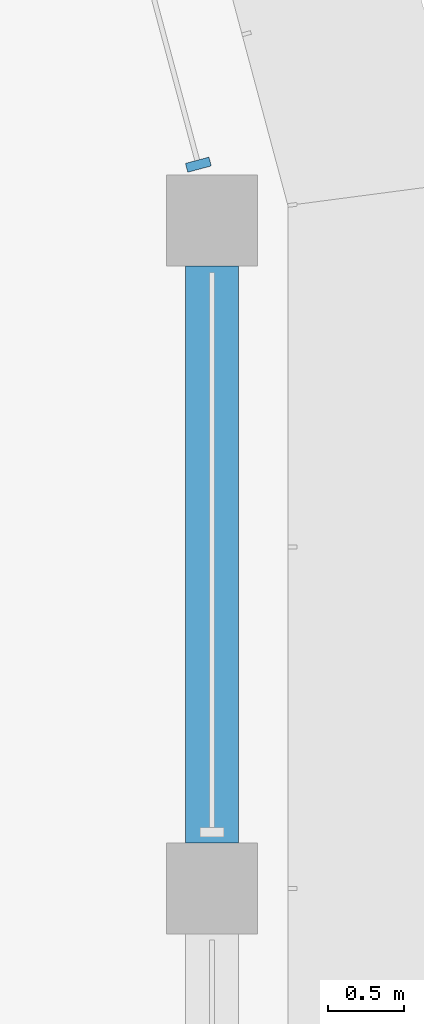
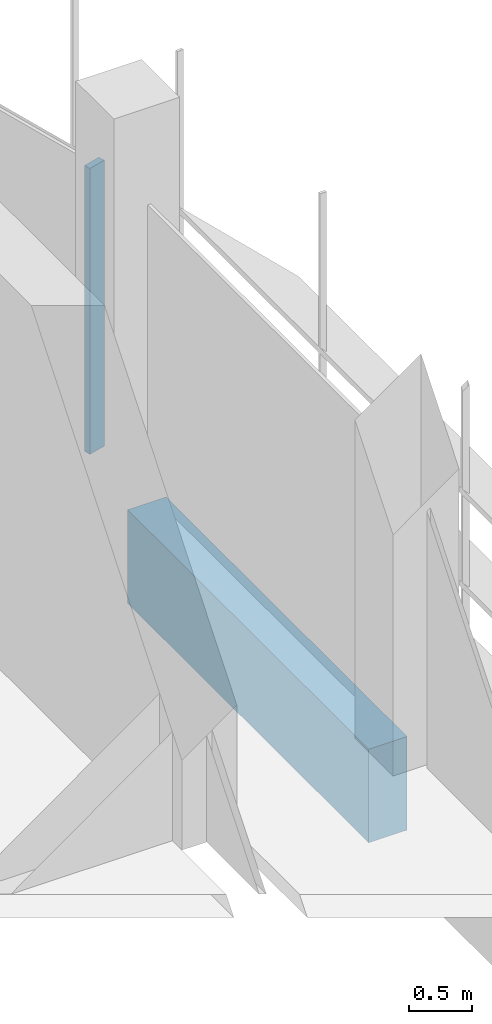
# One storey, part 10 of 19: 1 beam, 1 member, 1 element without a shape of its own.
"""IFC4 building model written with IfcOpenShell, lengths in metres."""

from ifc_helpers import new_model, si_unit, direction, frame, origin, origin_2d, place, context, subcontext, project, spatial, polyline, rectangle, outline, extrude, source, transform, mapped, material, material_profile, profile_set, type_object, element, aggregate, save


model = new_model("IFC4")

# Units and contexts
model_context = context("Model", 3, precision=1e-05, world=origin(), true_north=direction((0.0, 1.0)))
body_context = subcontext(model_context, "Body", "Model", "MODEL_VIEW")
ifc_project = project(units=[si_unit("LENGTHUNIT", "METRE"), si_unit("AREAUNIT", "SQUARE_METRE"), si_unit("VOLUMEUNIT", "CUBIC_METRE"), si_unit("PLANEANGLEUNIT", "RADIAN"), si_unit("MASSUNIT", "GRAM", prefix="KILO")], contexts=[model_context])

# Site, building, storey
site_placement = place(None, origin())
site = spatial("IfcSite", under=ifc_project, at=site_placement, CompositionType="ELEMENT")
building_placement = place(site_placement, origin())
building = spatial("IfcBuilding", under=site, at=building_placement, Name="Zarbagh Exchange Tower", CompositionType="ELEMENT")
storey_placement = place(building_placement, frame((0.0, 0.0, 268.800048828125)))
storey = spatial("IfcBuildingStorey", under=building, at=storey_placement, Name="L66", CompositionType="ELEMENT", Elevation=268.800048828125)

# Beam
ifc_material_1 = material(Name="Concrete C40/50", Category="concrete")
ifc_material_profile = material_profile(ifc_material_1, rectangle(XDim=0.35009765625, YDim=0.89990234375, at=origin_2d()), Name="RC spandrel beam 350 x 900 C40/50")
ifc_profile_set = profile_set([ifc_material_profile], Name="Concrete C40/50")
beam_type = type_object("IfcBeamType", Name="RC spandrel beam 350 x 900 C40/50", PredefinedType="SPANDREL", material=ifc_profile_set)
beam_placement = place(storey_placement, frame((6.25, 24.35009765625, -0.60009765625), z_axis=(0.0, -1.0, 0.0), x_axis=(1.0, 0.0, 0.0)))
element("IfcBeam", 1, at=beam_placement, inside=storey, type_object=beam_type, Name="RC spandrel beam", PredefinedType="SPANDREL", context=body_context, shape_type="SweptSolid", body=[
    extrude(rectangle(XDim=0.35009765625, YDim=0.89990234375, at=origin_2d()), origin(), (0.0, 0.0, 1.0), 3.800048828125),
])

# Curtain wall, member
ifc_material_2 = material(Name="Anodised aluminium frame and glazing", Category="aluminium")
curtain_wall_type = type_object("IfcCurtainWallType", Name="CWB Ribbon glazing, upper zones", PredefinedType="NOTDEFINED", material=ifc_material_2)
curtain_wall_placement = place(storey_placement, origin())
curtain_wall = element("IfcCurtainWall", 2, at=curtain_wall_placement, inside=storey, type_object=curtain_wall_type, Name="CWB68 curtain wall", PredefinedType="NOTDEFINED")
ifc_material_3 = material(Name="Anodised aluminium frame", Category="aluminium")
member_type = type_object("IfcMemberType", Name="MUB Mullion, anodised aluminium frame", PredefinedType="MULLION", material=ifc_material_3)
shared_shape = source(origin(), body_context, "Body", "SweptSolid", [
    extrude(outline(polyline([(0.0, -0.080078125), (0.06005859375, -0.080078125), (0.06005859375, 0.080078125), (0.0, 0.080078125), (0.0, -0.080078125)])), origin(), (0.0, 0.0, 1.0), 2.75),
])
member_placement = place(storey_placement, origin())
member = element("IfcMember", 3, at=member_placement, type_object=member_type, Name="CWB68 mullion 1.1", PredefinedType="MULLION", context=body_context, shape_type="MappedRepresentation", body=[
    mapped(shared_shape, transform((6.16796875, 24.989990234375, 0.0), x_axis=(-0.258824779902, 0.965924289636, 0.0), y_axis=(-0.965924289636, -0.258824779902, 0.0), z_axis=(0.0, 0.0, 1.0))),
])
aggregate(curtain_wall, [member])

save(model, "model.ifc")
